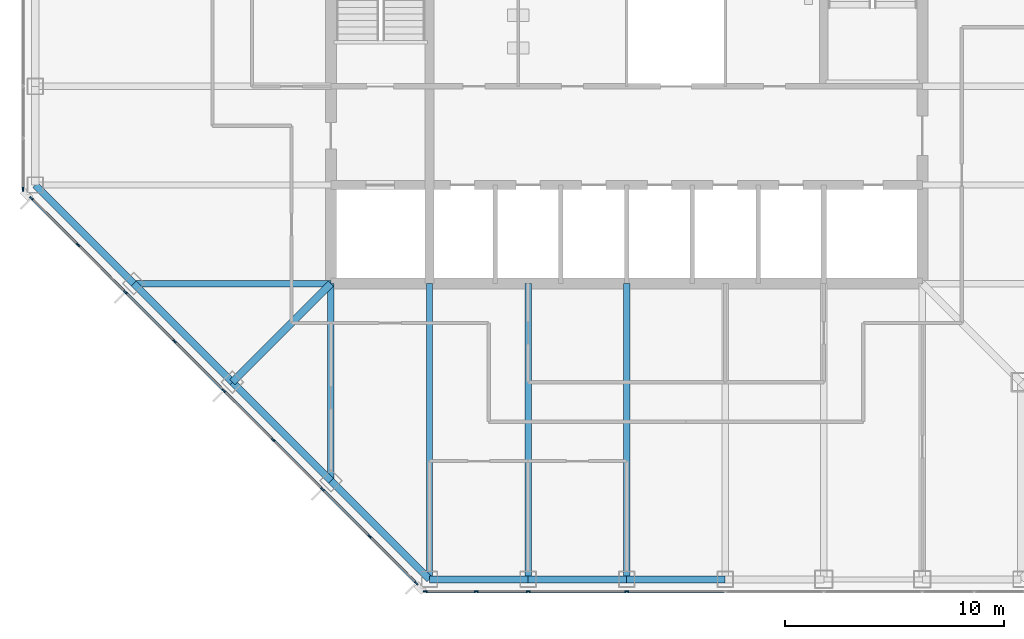
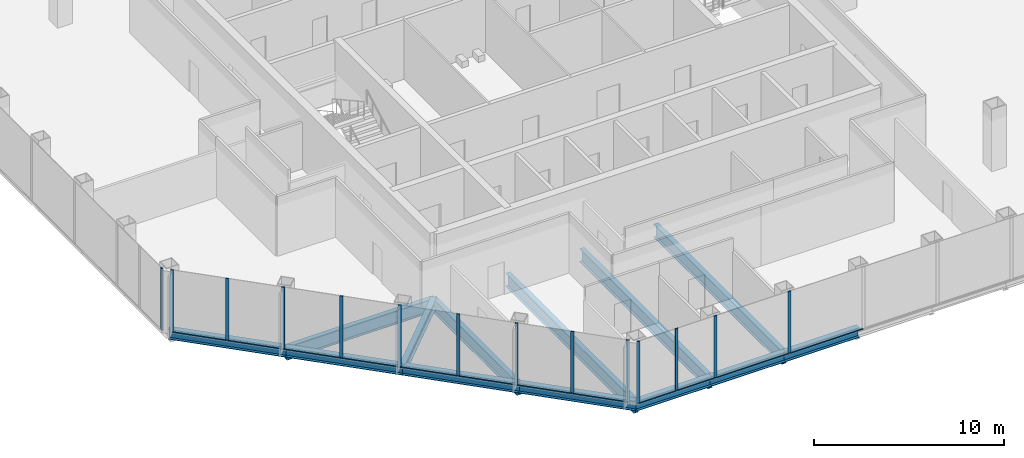
# One storey, part 2 of 13: 26 members, 13 beams, 3 elements without a shape of their own.
"""IFC4 building model written with IfcOpenShell, lengths in metres."""

from ifc_helpers import new_model, si_unit, direction, frame, origin, origin_2d, place, context, subcontext, project, spatial, rectangle, i_section, extrude, material, material_profile, profile_set, type_object, element, aggregate, save


model = new_model("IFC4")

# Units and contexts
model_context = context("Model", 3, precision=1e-05, world=origin(), true_north=direction((0.0, 1.0)))
body_context = subcontext(model_context, "Body", "Model", "MODEL_VIEW")
ifc_project = project(units=[si_unit("LENGTHUNIT", "METRE"), si_unit("AREAUNIT", "SQUARE_METRE"), si_unit("VOLUMEUNIT", "CUBIC_METRE"), si_unit("PLANEANGLEUNIT", "RADIAN"), si_unit("MASSUNIT", "GRAM", prefix="KILO")], contexts=[model_context])

# Site, building, storey
site_placement = place(None, origin())
site = spatial("IfcSite", under=ifc_project, at=site_placement, CompositionType="ELEMENT")
building_placement = place(site_placement, origin())
building = spatial("IfcBuilding", under=site, at=building_placement, Name="Corais Broadcast Tower", CompositionType="ELEMENT")
storey_placement = place(building_placement, frame((0.0, 0.0, 119.60009765625)))
storey = spatial("IfcBuildingStorey", under=building, at=storey_placement, Name="L26", CompositionType="ELEMENT", Elevation=119.60009765625)

# Beams
ifc_material_1 = material(Name="Steel ASTM A572 Grade 50", Category="steel")
ifc_material_profile_1 = material_profile(ifc_material_1, i_section(OverallWidth=0.323974609375, OverallDepth=0.611083984375, WebThickness=0.0126953125, FlangeThickness=0.01904296875, at=origin_2d()), Name="W610x155")
ifc_profile_set_1 = profile_set([ifc_material_profile_1], Name="Steel ASTM A572 Grade 50")
beam_type_1 = type_object("IfcBeamType", Name="Corner diagonal W610x155", PredefinedType="BEAM", material=ifc_profile_set_1)
beam_1_placement = place(storey_placement, frame((9.0, 9.0, -0.465576171875), z_axis=(0.707106781187, 0.707106781187, 0.0), x_axis=(-0.707106781187, 0.707106781187, 0.0)))
element("IfcBeam", 1, at=beam_1_placement, inside=storey, type_object=beam_type_1, Name="B6 C/5 to D/6", PredefinedType="BEAM", context=body_context, shape_type="SweptSolid", body=[
    extrude(i_section(OverallWidth=0.323974609375, OverallDepth=0.611083984375, WebThickness=0.0126953125, FlangeThickness=0.01904296875, at=origin_2d()), origin(), (0.0, 0.0, 1.0), 6.364013671875),
])
ifc_material_2 = material(Name="Steel ASTM A572 Grade 50", Category="steel")
ifc_material_profile_2 = material_profile(ifc_material_2, i_section(OverallWidth=0.2939453125, OverallDepth=0.85107421875, WebThickness=0.01611328125, FlangeThickness=0.02685546875, at=origin_2d()), Name="W840x226")
ifc_profile_set_2 = profile_set([ifc_material_profile_2], Name="Steel ASTM A572 Grade 50")
beam_type_2 = type_object("IfcBeamType", Name="Floor beam W840x226", PredefinedType="BEAM", material=ifc_profile_set_2)
beam_2_placement = place(storey_placement, frame((13.5, 4.5, -0.585693359375), z_axis=(0.0, 1.0, 0.0), x_axis=(-1.0, 0.0, 0.0)))
element("IfcBeam", 2, at=beam_2_placement, inside=storey, type_object=beam_type_2, Name="B1 B/6 to D/6", PredefinedType="BEAM", context=body_context, shape_type="SweptSolid", body=[
    extrude(i_section(OverallWidth=0.2939453125, OverallDepth=0.85107421875, WebThickness=0.01611328125, FlangeThickness=0.02685546875, at=origin_2d()), origin(), (0.0, 0.0, 1.0), 9.0),
])
for number, where, z_axis, x_axis, name in (
    (3, (18.0, 0.0, -0.585693359375), (0.0, 1.0, 0.0), (-1.0, 0.0, 0.0), "B1 A/7 to D/7"),
    (4, (22.5, 0.0, -0.585693359375), (0.0, 1.0, 0.0), (-1.0, 0.0, 0.0), "B1 A/8 to D/8"),
    (5, (27.0, 0.0, -0.585693359375), (0.0, 1.0, 0.0), (-1.0, 0.0, 0.0), "B1 A/9 to D/9"),
):
    element("IfcBeam", number, at=place(storey_placement, frame(where, z_axis=z_axis, x_axis=x_axis)), inside=storey, type_object=beam_type_2, Name=name, PredefinedType="BEAM", context=body_context, shape_type="SweptSolid", body=[
        extrude(i_section(OverallWidth=0.2939453125, OverallDepth=0.85107421875, WebThickness=0.01611328125, FlangeThickness=0.02685546875, at=origin_2d()), origin(), (0.0, 0.0, 1.0), 13.5),
    ])
beam_3_placement = place(storey_placement, frame((4.5, 13.5, -0.585693359375), z_axis=(1.0, 0.0, 0.0), x_axis=(0.0, 1.0, 0.0)))
element("IfcBeam", 6, at=beam_3_placement, inside=storey, type_object=beam_type_2, Name="B1 D/4 to D/6", PredefinedType="BEAM", context=body_context, shape_type="SweptSolid", body=[
    extrude(i_section(OverallWidth=0.2939453125, OverallDepth=0.85107421875, WebThickness=0.01611328125, FlangeThickness=0.02685546875, at=origin_2d()), origin(), (0.0, 0.0, 1.0), 9.0),
])

# Curtain wall, members
ifc_material_3 = material(Name="Aluminium and glass", Category="aluminium")
curtain_wall_type = type_object("IfcCurtainWallType", Name="Unitised fritted curtain wall CW2", PredefinedType="NOTDEFINED", material=ifc_material_3)
curtain_wall_1_placement = place(storey_placement, origin())
curtain_wall_1 = element("IfcCurtainWall", 7, at=curtain_wall_1_placement, inside=storey, type_object=curtain_wall_type, Name="CW2 curtain wall L26 1", PredefinedType="NOTDEFINED")
ifc_material_4 = material(Name="Aluminium 6063-T6", Category="aluminium")
ifc_material_profile_3 = material_profile(ifc_material_4, rectangle(XDim=0.06494140625, YDim=0.179931640625, at=origin_2d()), Name="Mullion CW2 65x180")
ifc_profile_set_3 = profile_set([ifc_material_profile_3], Name="Aluminium 6063-T6")
member_type_1 = type_object("IfcMemberType", Name="Mullion CW2 65x180", PredefinedType="MULLION", material=ifc_profile_set_3)
member_1_placement = place(storey_placement, frame((17.3955078125, -0.17333984375, 0.0), z_axis=(0.0, 0.0, 1.0), x_axis=(-0.707106781187, -0.707106781187, 0.0)))
member_1 = element("IfcMember", 8, at=member_1_placement, type_object=member_type_1, Name="CW2 mullion 1", PredefinedType="MULLION", context=body_context, shape_type="SweptSolid", body=[
    extrude(rectangle(XDim=0.06494140625, YDim=0.179931640625, at=origin_2d()), origin(), (0.0, 0.0, 1.0), 4.0),
])
member_2_placement = place(storey_placement, frame((15.264892578125, 1.957275390625, 0.0), z_axis=(0.0, 0.0, 1.0), x_axis=(-0.707106781187, -0.707106781187, 0.0)))
member_2 = element("IfcMember", 9, at=member_2_placement, type_object=member_type_1, Name="CW2 mullion 2", PredefinedType="MULLION", context=body_context, shape_type="SweptSolid", body=[
    extrude(rectangle(XDim=0.06494140625, YDim=0.179931640625, at=origin_2d()), origin(), (0.0, 0.0, 1.0), 4.0),
])
member_3_placement = place(storey_placement, frame((13.111083984375, 4.111083984375, 0.0), z_axis=(0.0, 0.0, 1.0), x_axis=(-0.707106781187, -0.707106781187, 0.0)))
member_3 = element("IfcMember", 10, at=member_3_placement, type_object=member_type_1, Name="CW2 mullion 3", PredefinedType="MULLION", context=body_context, shape_type="SweptSolid", body=[
    extrude(rectangle(XDim=0.06494140625, YDim=0.179931640625, at=origin_2d()), origin(), (0.0, 0.0, 1.0), 4.0),
])
member_4_placement = place(storey_placement, frame((10.861083984375, 6.361083984375, 0.0), z_axis=(0.0, 0.0, 1.0), x_axis=(-0.707106781187, -0.707106781187, 0.0)))
member_4 = element("IfcMember", 11, at=member_4_placement, type_object=member_type_1, Name="CW2 mullion 4", PredefinedType="MULLION", context=body_context, shape_type="SweptSolid", body=[
    extrude(rectangle(XDim=0.06494140625, YDim=0.179931640625, at=origin_2d()), origin(), (0.0, 0.0, 1.0), 4.0),
])
member_5_placement = place(storey_placement, frame((8.611083984375, 8.611083984375, 0.0), z_axis=(0.0, 0.0, 1.0), x_axis=(-0.707106781187, -0.707106781187, 0.0)))
member_5 = element("IfcMember", 12, at=member_5_placement, type_object=member_type_1, Name="CW2 mullion 5", PredefinedType="MULLION", context=body_context, shape_type="SweptSolid", body=[
    extrude(rectangle(XDim=0.06494140625, YDim=0.179931640625, at=origin_2d()), origin(), (0.0, 0.0, 1.0), 4.0),
])
member_6_placement = place(storey_placement, frame((6.361083984375, 10.861083984375, 0.0), z_axis=(0.0, 0.0, 1.0), x_axis=(-0.707106781187, -0.707106781187, 0.0)))
member_6 = element("IfcMember", 13, at=member_6_placement, type_object=member_type_1, Name="CW2 mullion 6", PredefinedType="MULLION", context=body_context, shape_type="SweptSolid", body=[
    extrude(rectangle(XDim=0.06494140625, YDim=0.179931640625, at=origin_2d()), origin(), (0.0, 0.0, 1.0), 4.0),
])
member_7_placement = place(storey_placement, frame((4.111083984375, 13.111083984375, 0.0), z_axis=(0.0, 0.0, 1.0), x_axis=(-0.707106781187, -0.707106781187, 0.0)))
member_7 = element("IfcMember", 14, at=member_7_placement, type_object=member_type_1, Name="CW2 mullion 7", PredefinedType="MULLION", context=body_context, shape_type="SweptSolid", body=[
    extrude(rectangle(XDim=0.06494140625, YDim=0.179931640625, at=origin_2d()), origin(), (0.0, 0.0, 1.0), 4.0),
])
member_8_placement = place(storey_placement, frame((1.957275390625, 15.264892578125, 0.0), z_axis=(0.0, 0.0, 1.0), x_axis=(-0.707106781187, -0.707106781187, 0.0)))
member_8 = element("IfcMember", 15, at=member_8_placement, type_object=member_type_1, Name="CW2 mullion 8", PredefinedType="MULLION", context=body_context, shape_type="SweptSolid", body=[
    extrude(rectangle(XDim=0.06494140625, YDim=0.179931640625, at=origin_2d()), origin(), (0.0, 0.0, 1.0), 4.0),
])
member_9_placement = place(storey_placement, frame((-0.17333984375, 17.3955078125, 0.0), z_axis=(0.0, 0.0, 1.0), x_axis=(-0.707106781187, -0.707106781187, 0.0)))
member_9 = element("IfcMember", 16, at=member_9_placement, type_object=member_type_1, Name="CW2 mullion 9", PredefinedType="MULLION", context=body_context, shape_type="SweptSolid", body=[
    extrude(rectangle(XDim=0.06494140625, YDim=0.179931640625, at=origin_2d()), origin(), (0.0, 0.0, 1.0), 4.0),
])

# Curtain wall, member
curtain_wall_2_placement = place(storey_placement, origin())
curtain_wall_2 = element("IfcCurtainWall", 17, at=curtain_wall_2_placement, inside=storey, type_object=curtain_wall_type, Name="CW2 curtain wall L26 2", PredefinedType="NOTDEFINED")
member_10_placement = place(storey_placement, frame((-0.550048828125, 17.8046875, 0.0), z_axis=(0.0, 0.0, 1.0), x_axis=(-1.0, 0.0, 0.0)))
member_10 = element("IfcMember", 18, at=member_10_placement, type_object=member_type_1, Name="CW2 mullion 1", PredefinedType="MULLION", context=body_context, shape_type="SweptSolid", body=[
    extrude(rectangle(XDim=0.06494140625, YDim=0.179931640625, at=origin_2d()), origin(), (0.0, 0.0, 1.0), 4.0),
])
aggregate(curtain_wall_2, [member_10])

# Curtain wall, members
curtain_wall_3_placement = place(storey_placement, origin())
curtain_wall_3 = element("IfcCurtainWall", 19, at=curtain_wall_3_placement, inside=storey, type_object=curtain_wall_type, Name="CW2 curtain wall L26 8", PredefinedType="NOTDEFINED")
member_11_placement = place(storey_placement, frame((27.0, -0.550048828125, 0.0), z_axis=(0.0, 0.0, 1.0), x_axis=(0.0, -1.0, 0.0)))
member_11 = element("IfcMember", 20, at=member_11_placement, type_object=member_type_1, Name="CW2 mullion 6", PredefinedType="MULLION", context=body_context, shape_type="SweptSolid", body=[
    extrude(rectangle(XDim=0.06494140625, YDim=0.179931640625, at=origin_2d()), origin(), (0.0, 0.0, 1.0), 4.0),
])
member_12_placement = place(storey_placement, frame((22.5, -0.550048828125, 0.0), z_axis=(0.0, 0.0, 1.0), x_axis=(0.0, -1.0, 0.0)))
member_12 = element("IfcMember", 21, at=member_12_placement, type_object=member_type_1, Name="CW2 mullion 7", PredefinedType="MULLION", context=body_context, shape_type="SweptSolid", body=[
    extrude(rectangle(XDim=0.06494140625, YDim=0.179931640625, at=origin_2d()), origin(), (0.0, 0.0, 1.0), 4.0),
])
member_13_placement = place(storey_placement, frame((20.135986328125, -0.550048828125, 0.0), z_axis=(0.0, 0.0, 1.0), x_axis=(0.0, -1.0, 0.0)))
member_13 = element("IfcMember", 22, at=member_13_placement, type_object=member_type_1, Name="CW2 mullion 8", PredefinedType="MULLION", context=body_context, shape_type="SweptSolid", body=[
    extrude(rectangle(XDim=0.06494140625, YDim=0.179931640625, at=origin_2d()), origin(), (0.0, 0.0, 1.0), 4.0),
])
member_14_placement = place(storey_placement, frame((17.8046875, -0.550048828125, 0.0), z_axis=(0.0, 0.0, 1.0), x_axis=(0.0, -1.0, 0.0)))
member_14 = element("IfcMember", 23, at=member_14_placement, type_object=member_type_1, Name="CW2 mullion 9", PredefinedType="MULLION", context=body_context, shape_type="SweptSolid", body=[
    extrude(rectangle(XDim=0.06494140625, YDim=0.179931640625, at=origin_2d()), origin(), (0.0, 0.0, 1.0), 4.0),
])

# Beams
ifc_material_5 = material(Name="Steel ASTM A572 Grade 50", Category="steel")
ifc_material_profile_4 = material_profile(ifc_material_5, i_section(OverallWidth=0.3291015625, OverallDepth=0.635009765625, WebThickness=0.017822265625, FlangeThickness=0.031005859375, at=origin_2d()), Name="W610x241")
ifc_profile_set_4 = profile_set([ifc_material_profile_4], Name="Steel ASTM A572 Grade 50")
beam_type_3 = type_object("IfcBeamType", Name="Spandrel W610x241", PredefinedType="BEAM", material=ifc_profile_set_4)
for number, where, z_axis, x_axis, name in (
    (24, (0.0, 18.0, -0.4775390625), (0.707106781187, -0.707106781187, 0.0), (0.707106781187, 0.707106781187, 0.0), "SB1 E/3 to D/4"),
    (25, (13.5, 4.5, -0.4775390625), (0.707106781187, -0.707106781187, 0.0), (0.707106781187, 0.707106781187, 0.0), "SB1 B/6 to A/7"),
):
    element("IfcBeam", number, at=place(storey_placement, frame(where, z_axis=z_axis, x_axis=x_axis)), inside=storey, type_object=beam_type_3, Name=name, PredefinedType="BEAM", context=body_context, shape_type="SweptSolid", body=[
        extrude(i_section(OverallWidth=0.3291015625, OverallDepth=0.635009765625, WebThickness=0.017822265625, FlangeThickness=0.031005859375, at=origin_2d()), origin(), (0.0, 0.0, 1.0), 6.364013671875),
    ])
for number, where, z_axis, x_axis, name in (
    (26, (18.0, 0.0, -0.4775390625), (1.0, 0.0, 0.0), (0.0, 1.0, 0.0), "SB1 A/7 to A/8"),
    (27, (22.5, 0.0, -0.4775390625), (1.0, 0.0, 0.0), (0.0, 1.0, 0.0), "SB1 A/8 to A/9"),
    (28, (27.0, 0.0, -0.4775390625), (1.0, 0.0, 0.0), (0.0, 1.0, 0.0), "SB1 A/9 to A/10"),
):
    element("IfcBeam", number, at=place(storey_placement, frame(where, z_axis=z_axis, x_axis=x_axis)), inside=storey, type_object=beam_type_3, Name=name, PredefinedType="BEAM", context=body_context, shape_type="SweptSolid", body=[
        extrude(i_section(OverallWidth=0.3291015625, OverallDepth=0.635009765625, WebThickness=0.017822265625, FlangeThickness=0.031005859375, at=origin_2d()), origin(), (0.0, 0.0, 1.0), 4.5),
    ])
for number, where, z_axis, x_axis, name in (
    (29, (4.5, 13.5, -0.4775390625), (0.707106781187, -0.707106781187, 0.0), (0.707106781187, 0.707106781187, 0.0), "SB1 D/4 to C/5"),
    (30, (9.0, 9.0, -0.4775390625), (0.707106781187, -0.707106781187, 0.0), (0.707106781187, 0.707106781187, 0.0), "SB1 C/5 to B/6"),
):
    element("IfcBeam", number, at=place(storey_placement, frame(where, z_axis=z_axis, x_axis=x_axis)), inside=storey, type_object=beam_type_3, Name=name, PredefinedType="BEAM", context=body_context, shape_type="SweptSolid", body=[
        extrude(i_section(OverallWidth=0.3291015625, OverallDepth=0.635009765625, WebThickness=0.017822265625, FlangeThickness=0.031005859375, at=origin_2d()), origin(), (0.0, 0.0, 1.0), 6.364013671875),
    ])

# Member
ifc_material_6 = material(Name="Aluminium 6063-T6", Category="aluminium")
ifc_material_profile_5 = material_profile(ifc_material_6, rectangle(XDim=0.1298828125, YDim=0.06494140625, at=origin_2d()), Name="Transom CW2 65x130")
ifc_profile_set_5 = profile_set([ifc_material_profile_5], Name="Aluminium 6063-T6")
member_type_2 = type_object("IfcMemberType", Name="Transom CW2 65x130", PredefinedType="USERDEFINED", material=ifc_profile_set_5)
member_15_placement = place(storey_placement, frame((17.37255859375, -0.150390625, 0.032470703125), z_axis=(-0.707106781187, 0.707106781187, 0.0), x_axis=(-0.707106781187, -0.707106781187, 0.0)))
member_15 = element("IfcMember", 31, at=member_15_placement, type_object=member_type_2, Name="CW2 transom 1.1", ObjectType="TRANSOM", PredefinedType="USERDEFINED", context=body_context, shape_type="SweptSolid", body=[
    extrude(rectangle(XDim=0.1298828125, YDim=0.06494140625, at=origin_2d()), origin(), (0.0, 0.0, 1.0), 2.9482421875),
])

member_16_placement = place(storey_placement, frame((15.241943359375, 1.980224609375, 0.032470703125), z_axis=(-0.707106781187, 0.707106781187, 0.0), x_axis=(-0.707106781187, -0.707106781187, 0.0)))
member_16 = element("IfcMember", 32, at=member_16_placement, type_object=member_type_2, Name="CW2 transom 2.1", ObjectType="TRANSOM", PredefinedType="USERDEFINED", context=body_context, shape_type="SweptSolid", body=[
    extrude(rectangle(XDim=0.1298828125, YDim=0.06494140625, at=origin_2d()), origin(), (0.0, 0.0, 1.0), 2.98095703125),
])

member_17_placement = place(storey_placement, frame((13.088134765625, 4.134033203125, 0.032470703125), z_axis=(-0.707106781187, 0.707106781187, 0.0), x_axis=(-0.707106781187, -0.707106781187, 0.0)))
member_17 = element("IfcMember", 33, at=member_17_placement, type_object=member_type_2, Name="CW2 transom 3.1", ObjectType="TRANSOM", PredefinedType="USERDEFINED", context=body_context, shape_type="SweptSolid", body=[
    extrude(rectangle(XDim=0.1298828125, YDim=0.06494140625, at=origin_2d()), origin(), (0.0, 0.0, 1.0), 3.1171875),
])

member_18_placement = place(storey_placement, frame((10.838134765625, 6.384033203125, 0.032470703125), z_axis=(-0.707106781187, 0.707106781187, 0.0), x_axis=(-0.707106781187, -0.707106781187, 0.0)))
member_18 = element("IfcMember", 34, at=member_18_placement, type_object=member_type_2, Name="CW2 transom 4.1", ObjectType="TRANSOM", PredefinedType="USERDEFINED", context=body_context, shape_type="SweptSolid", body=[
    extrude(rectangle(XDim=0.1298828125, YDim=0.06494140625, at=origin_2d()), origin(), (0.0, 0.0, 1.0), 3.1171875),
])

member_19_placement = place(storey_placement, frame((8.588134765625, 8.634033203125, 0.032470703125), z_axis=(-0.707106781187, 0.707106781187, 0.0), x_axis=(-0.707106781187, -0.707106781187, 0.0)))
member_19 = element("IfcMember", 35, at=member_19_placement, type_object=member_type_2, Name="CW2 transom 5.1", ObjectType="TRANSOM", PredefinedType="USERDEFINED", context=body_context, shape_type="SweptSolid", body=[
    extrude(rectangle(XDim=0.1298828125, YDim=0.06494140625, at=origin_2d()), origin(), (0.0, 0.0, 1.0), 3.1171875),
])

member_20_placement = place(storey_placement, frame((6.338134765625, 10.884033203125, 0.032470703125), z_axis=(-0.707106781187, 0.707106781187, 0.0), x_axis=(-0.707106781187, -0.707106781187, 0.0)))
member_20 = element("IfcMember", 36, at=member_20_placement, type_object=member_type_2, Name="CW2 transom 6.1", ObjectType="TRANSOM", PredefinedType="USERDEFINED", context=body_context, shape_type="SweptSolid", body=[
    extrude(rectangle(XDim=0.1298828125, YDim=0.06494140625, at=origin_2d()), origin(), (0.0, 0.0, 1.0), 3.1171875),
])

member_21_placement = place(storey_placement, frame((4.088134765625, 13.134033203125, 0.032470703125), z_axis=(-0.707065828661, 0.70714773134, 0.0), x_axis=(-0.70714773134, -0.707065828661, 0.0)))
member_21 = element("IfcMember", 37, at=member_21_placement, type_object=member_type_2, Name="CW2 transom 7.1", ObjectType="TRANSOM", PredefinedType="USERDEFINED", context=body_context, shape_type="SweptSolid", body=[
    extrude(rectangle(XDim=0.1298828125, YDim=0.06494140625, at=origin_2d()), origin(), (0.0, 0.0, 1.0), 2.98095703125),
])

member_22_placement = place(storey_placement, frame((1.934326171875, 15.287841796875, 0.032470703125), z_axis=(-0.707106781187, 0.707106781187, 0.0), x_axis=(-0.707106781187, -0.707106781187, 0.0)))
member_22 = element("IfcMember", 38, at=member_22_placement, type_object=member_type_2, Name="CW2 transom 8.1", ObjectType="TRANSOM", PredefinedType="USERDEFINED", context=body_context, shape_type="SweptSolid", body=[
    extrude(rectangle(XDim=0.1298828125, YDim=0.06494140625, at=origin_2d()), origin(), (0.0, 0.0, 1.0), 2.9482421875),
])

aggregate(curtain_wall_1, [member_1, member_2, member_3, member_4, member_5, member_6, member_7, member_8, member_9, member_15, member_16, member_17, member_18, member_19, member_20, member_21, member_22])

member_23_placement = place(storey_placement, frame((31.467529296875, -0.550048828125, 0.032470703125), z_axis=(-1.0, 0.0, 0.0), x_axis=(0.0, -1.0, 0.0)))
member_23 = element("IfcMember", 39, at=member_23_placement, type_object=member_type_2, Name="CW2 transom 5.1", ObjectType="TRANSOM", PredefinedType="USERDEFINED", context=body_context, shape_type="SweptSolid", body=[
    extrude(rectangle(XDim=0.1298828125, YDim=0.06494140625, at=origin_2d()), origin(), (0.0, 0.0, 1.0), 4.43505859375),
])

member_24_placement = place(storey_placement, frame((26.967529296875, -0.550048828125, 0.032470703125), z_axis=(-1.0, 0.0, 0.0), x_axis=(0.0, -1.0, 0.0)))
member_24 = element("IfcMember", 40, at=member_24_placement, type_object=member_type_2, Name="CW2 transom 6.1", ObjectType="TRANSOM", PredefinedType="USERDEFINED", context=body_context, shape_type="SweptSolid", body=[
    extrude(rectangle(XDim=0.1298828125, YDim=0.06494140625, at=origin_2d()), origin(), (0.0, 0.0, 1.0), 4.43505859375),
])

member_25_placement = place(storey_placement, frame((22.467529296875, -0.550048828125, 0.032470703125), z_axis=(-1.0, 0.0, 0.0), x_axis=(0.0, -1.0, 0.0)))
member_25 = element("IfcMember", 41, at=member_25_placement, type_object=member_type_2, Name="CW2 transom 7.1", ObjectType="TRANSOM", PredefinedType="USERDEFINED", context=body_context, shape_type="SweptSolid", body=[
    extrude(rectangle(XDim=0.1298828125, YDim=0.06494140625, at=origin_2d()), origin(), (0.0, 0.0, 1.0), 2.298828125),
])

member_26_placement = place(storey_placement, frame((20.103515625, -0.550048828125, 0.032470703125), z_axis=(-1.0, 0.0, 0.0), x_axis=(0.0, -1.0, 0.0)))
member_26 = element("IfcMember", 42, at=member_26_placement, type_object=member_type_2, Name="CW2 transom 8.1", ObjectType="TRANSOM", PredefinedType="USERDEFINED", context=body_context, shape_type="SweptSolid", body=[
    extrude(rectangle(XDim=0.1298828125, YDim=0.06494140625, at=origin_2d()), origin(), (0.0, 0.0, 1.0), 2.266357421875),
])

aggregate(curtain_wall_3, [member_11, member_12, member_13, member_14, member_23, member_24, member_25, member_26])

save(model, "model.ifc")
